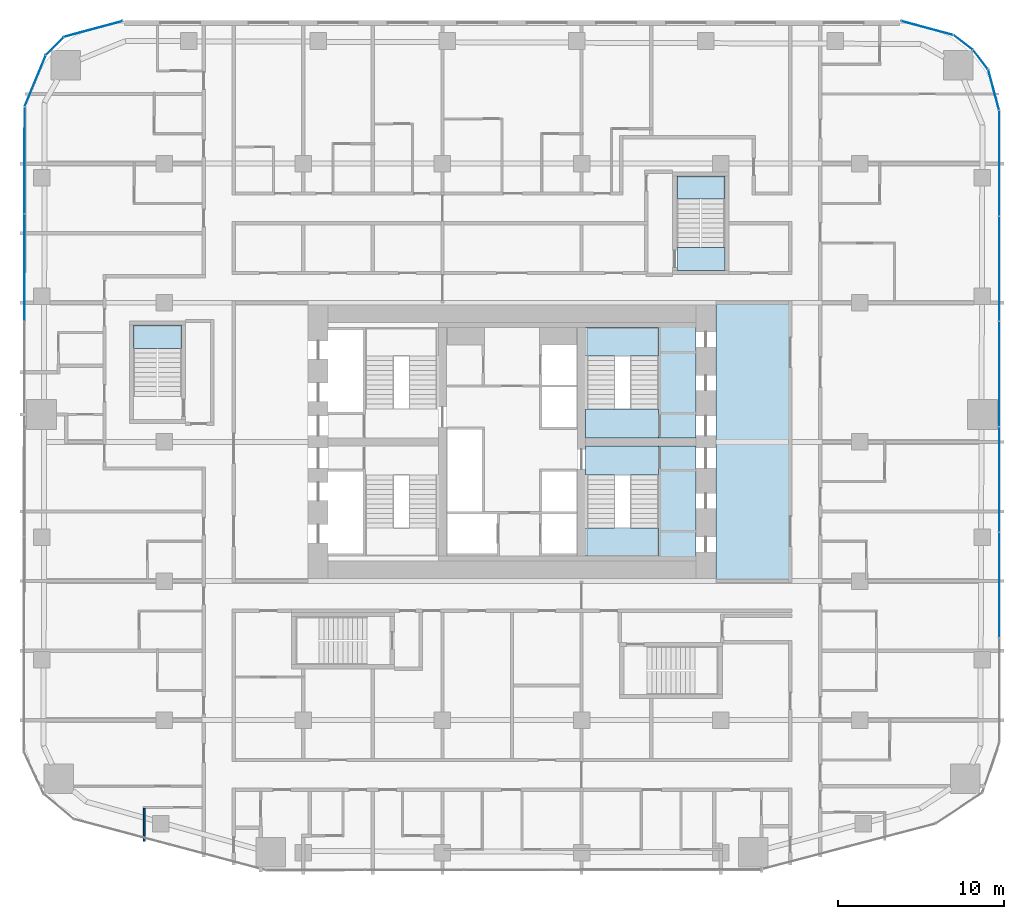
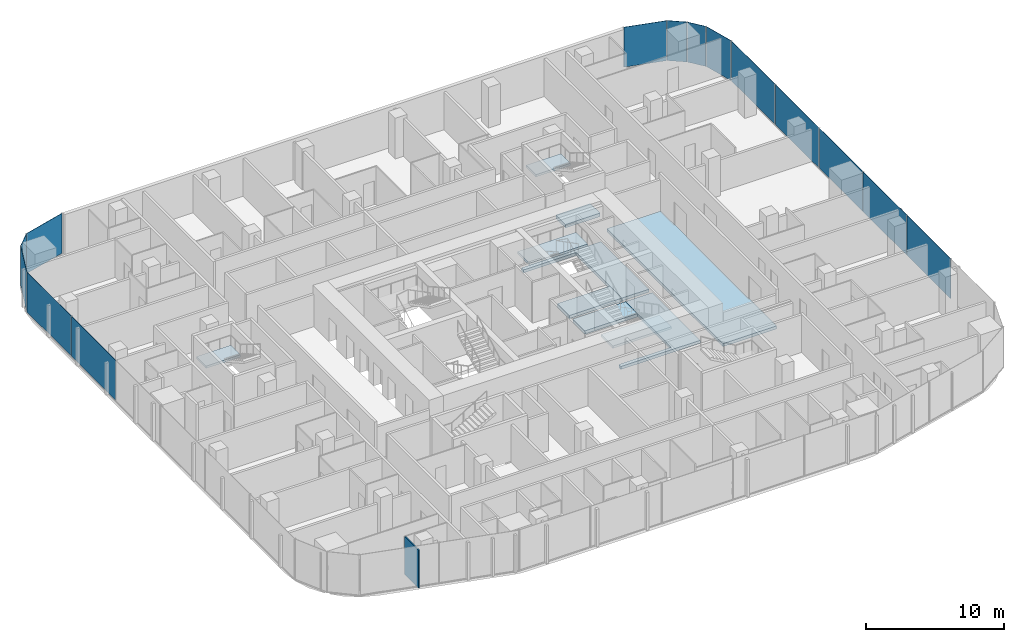
# One storey, part 15 of 26: 14 plates, 10 slabs, 1 wall, 13 elements without a shape of their own.
"""IFC4 building model written with IfcOpenShell, lengths in metres."""

from ifc_helpers import new_model, si_unit, direction, frame, frame_2d, origin, origin_2d, place, context, subcontext, project, spatial, polyline, rectangle, outline, extrude, material, layer, layer_set, type_object, element, aggregate, save


model = new_model("IFC4")

# Units and contexts
model_context = context("Model", 3, precision=1e-05, world=origin(), true_north=direction((0.0, 1.0)))
body_context = subcontext(model_context, "Body", "Model", "MODEL_VIEW")
ifc_project = project(units=[si_unit("LENGTHUNIT", "METRE"), si_unit("AREAUNIT", "SQUARE_METRE"), si_unit("VOLUMEUNIT", "CUBIC_METRE"), si_unit("PLANEANGLEUNIT", "RADIAN"), si_unit("MASSUNIT", "GRAM", prefix="KILO")], contexts=[model_context])

# Site, building, storey
site_placement = place(None, origin())
site = spatial("IfcSite", under=ifc_project, at=site_placement, CompositionType="ELEMENT")
building_placement = place(site_placement, origin())
building = spatial("IfcBuilding", under=site, at=building_placement, Name="Marenta Gate Hotel Tower", CompositionType="ELEMENT")
storey_placement = place(building_placement, frame((0.0, 0.0, 58.10009765625)))
storey = spatial("IfcBuildingStorey", under=building, at=storey_placement, Name="L12", CompositionType="ELEMENT", Elevation=58.10009765625)

# Slabs
ifc_material_1 = material(Name="Concrete C40", Category="concrete")
ifc_layer_1 = layer(ifc_material_1, 0.260009765625)
ifc_layer_set_1 = layer_set([ifc_layer_1], Name="Concrete C40")
slab_type_1 = type_object("IfcSlabType", Name="Core floor slab 260", PredefinedType="FLOOR", material=ifc_layer_set_1)
slab_1_placement = place(storey_placement, frame((0.0, 0.0, -0.260009765625)))
element("IfcSlab", 1, at=slab_1_placement, inside=storey, type_object=slab_type_1, Name="L12-CF-1", PredefinedType="FLOOR", context=body_context, shape_type="SweptSolid", body=[
    extrude(outline(polyline([(12.300048828125, 0.0), (12.300048828125, 16.800048828125), (16.800048828125, 16.800048828125), (16.800048828125, 0.0), (12.300048828125, 0.0)])), origin(), (0.0, 0.0, 1.0), 0.260009765625),
])
slab_2_placement = place(storey_placement, frame((0.0, 0.0, -0.260009765625)))
element("IfcSlab", 2, at=slab_2_placement, inside=storey, type_object=slab_type_1, Name="L12-CF-2", PredefinedType="FLOOR", context=body_context, shape_type="SweptSolid", body=[
    extrude(outline(polyline([(8.85009765625, 1.5), (8.85009765625, 6.39990234375), (8.85009765625, 8.10009765625), (8.85009765625, 8.14990234375), (11.10009765625, 8.14990234375), (11.10009765625, 1.199951171875), (4.449951171875, 1.199951171875), (4.449951171875, 1.5), (8.85009765625, 1.5)])), origin(), (0.0, 0.0, 1.0), 0.260009765625),
])
slab_3_placement = place(storey_placement, frame((0.0, 0.0, -0.260009765625)))
element("IfcSlab", 3, at=slab_3_placement, inside=storey, type_object=slab_type_1, Name="L12-CF-3", PredefinedType="FLOOR", context=body_context, shape_type="SweptSolid", body=[
    extrude(outline(polyline([(8.85009765625, 15.300048828125), (4.449951171875, 15.300048828125), (4.449951171875, 15.60009765625), (11.10009765625, 15.60009765625), (11.10009765625, 8.64990234375), (8.85009765625, 8.64990234375), (8.85009765625, 8.699951171875), (8.85009765625, 10.39990234375), (8.85009765625, 15.300048828125)])), origin(), (0.0, 0.0, 1.0), 0.260009765625),
])

# Stair, slab
ifc_material_2 = material(Name="Concrete C40", Category="concrete")
stair_type_1 = type_object("IfcStairType", Name="Core exit stair 1700 wide", PredefinedType="HALF_TURN_STAIR", material=ifc_material_2)
stair_1_placement = place(storey_placement, origin())
stair_1 = element("IfcStair", 4, at=stair_1_placement, inside=storey, type_object=stair_type_1, Name="Exit stair 3", PredefinedType="HALF_TURN_STAIR")
ifc_material_3 = material(Name="Concrete C40", Category="concrete")
ifc_layer_2 = layer(ifc_material_3, 0.199951171875)
ifc_layer_set_2 = layer_set([ifc_layer_2], Name="Concrete C40")
slab_type_2 = type_object("IfcSlabType", Name="Core stair landing 200", PredefinedType="LANDING", material=ifc_layer_set_2)
slab_4_placement = place(storey_placement, frame((0.0, 0.0, 1.599853515625)))
slab_4 = element("IfcSlab", 5, at=slab_4_placement, type_object=slab_type_2, Name="SL-200 ST3 landing 1", PredefinedType="LANDING", context=body_context, shape_type="SweptSolid", body=[
    extrude(outline(polyline([(3.949951171875, 1.5), (8.85009765625, 1.5), (8.85009765625, 3.2099609375), (3.949951171875, 3.2099609375), (3.949951171875, 1.5)])), origin(), (0.0, 0.0, 1.0), 0.199951171875),
])
aggregate(stair_1, [slab_4])

stair_2_placement = place(storey_placement, origin())
stair_2 = element("IfcStair", 6, at=stair_2_placement, inside=storey, type_object=stair_type_1, Name="Exit stair 4", PredefinedType="HALF_TURN_STAIR")
slab_5_placement = place(storey_placement, frame((0.0, 0.0, 1.599853515625)))
slab_5 = element("IfcSlab", 7, at=slab_5_placement, type_object=slab_type_2, Name="SL-200 ST4 landing 1", PredefinedType="LANDING", context=body_context, shape_type="SweptSolid", body=[
    extrude(outline(polyline([(3.949951171875, 13.590087890625), (8.85009765625, 13.590087890625), (8.85009765625, 15.300048828125), (3.949951171875, 15.300048828125), (3.949951171875, 13.590087890625)])), origin(), (0.0, 0.0, 1.0), 0.199951171875),
])
aggregate(stair_2, [slab_5])

# Curtain wall, plate
ifc_material_4 = material(Name="Tinted insulated glass in bronze anodised frame", Category="glass")
ifc_layer_3 = layer(ifc_material_4, 0.1201171875)
ifc_layer_set_3 = layer_set([ifc_layer_3], Name="Tinted insulated glass in bronze anodised frame")
curtain_wall_type = type_object("IfcCurtainWallType", Name="Tower unitised curtain wall CW1", PredefinedType="NOTDEFINED", material=ifc_layer_set_3)
curtain_wall_1_placement = place(storey_placement, origin())
curtain_wall_1 = element("IfcCurtainWall", 8, at=curtain_wall_1_placement, inside=storey, type_object=curtain_wall_type, Name="CW1 run G00", PredefinedType="NOTDEFINED")
ifc_material_5 = material(Name="Tinted insulated glass", Category="glass")
ifc_layer_4 = layer(ifc_material_5, 0.028076171875)
ifc_layer_set_4 = layer_set([ifc_layer_4], Name="Tinted insulated glass")
plate_type = type_object("IfcPlateType", Name="Glass panel CW1 28 mm tinted insulated unit", PredefinedType="CURTAIN_PANEL", material=ifc_layer_set_4)
plate_1_placement = place(storey_placement, frame((-25.277099609375, 33.3232421875, 0.059814453125), z_axis=(0.0, 0.0, 1.0), x_axis=(-0.965930485164, -0.258801657317, 0.0)))
plate_1 = element("IfcPlate", 9, at=plate_1_placement, type_object=plate_type, Name="CW1 panel 1.1", PredefinedType="CURTAIN_PANEL", context=body_context, shape_type="SweptSolid", body=[
    extrude(rectangle(XDim=3.64990234375, YDim=0.028076171875, at=origin_2d()), origin(), (0.0, 0.0, 1.0), 3.5400390625),
])
aggregate(curtain_wall_1, [plate_1])

curtain_wall_2_placement = place(storey_placement, origin())
curtain_wall_2 = element("IfcCurtainWall", 10, at=curtain_wall_2_placement, inside=storey, type_object=curtain_wall_type, Name="CW1 run G01", PredefinedType="NOTDEFINED")
plate_2_placement = place(storey_placement, frame((-27.606689453125, 32.2841796875, 0.059814453125), z_axis=(0.0, 0.0, 1.0), x_axis=(-0.707106781187, -0.707106781187, 0.0)))
plate_2 = element("IfcPlate", 11, at=plate_2_placement, type_object=plate_type, Name="CW1 panel 1.1", PredefinedType="CURTAIN_PANEL", context=body_context, shape_type="SweptSolid", body=[
    extrude(rectangle(XDim=1.48291015625, YDim=0.028076171875, at=origin_2d()), origin(), (0.0, 0.0, 1.0), 3.5400390625),
])
aggregate(curtain_wall_2, [plate_2])

curtain_wall_3_placement = place(storey_placement, origin())
curtain_wall_3 = element("IfcCurtainWall", 12, at=curtain_wall_3_placement, inside=storey, type_object=curtain_wall_type, Name="CW1 run G02", PredefinedType="NOTDEFINED")
plate_3_placement = place(storey_placement, frame((-28.783203125, 30.185302734375, 0.059814453125), z_axis=(0.0, 0.0, 1.0), x_axis=(-0.382670050581, -0.923885075314, 0.0)))
plate_3 = element("IfcPlate", 13, at=plate_3_placement, type_object=plate_type, Name="CW1 panel 1.1", PredefinedType="CURTAIN_PANEL", context=body_context, shape_type="SweptSolid", body=[
    extrude(rectangle(XDim=3.28857421875, YDim=0.028076171875, at=origin_2d()), origin(), (0.0, 0.0, 1.0), 3.5400390625),
])
aggregate(curtain_wall_3, [plate_3])

# Curtain wall, plates
curtain_wall_4_placement = place(storey_placement, origin())
curtain_wall_4 = element("IfcCurtainWall", 14, at=curtain_wall_4_placement, inside=storey, type_object=curtain_wall_type, Name="CW1 run G03", PredefinedType="NOTDEFINED")
plate_4_placement = place(storey_placement, frame((-29.41748046875, 25.406005859375, 0.059814453125), z_axis=(0.0, 0.0, 1.0), x_axis=(-0.00156642217, -0.99999877316, 0.0)))
plate_4 = element("IfcPlate", 15, at=plate_4_placement, type_object=plate_type, Name="CW1 panel 1.1", PredefinedType="CURTAIN_PANEL", context=body_context, shape_type="SweptSolid", body=[
    extrude(rectangle(XDim=6.400390625, YDim=0.028076171875, at=origin_2d()), origin(), (0.0, 0.0, 1.0), 3.5400390625),
])
plate_5_placement = place(storey_placement, frame((-29.427490234375, 18.9306640625, 0.059814453125), z_axis=(0.0, 0.0, 1.0), x_axis=(-0.00156642217, -0.99999877316, 0.0)))
plate_5 = element("IfcPlate", 16, at=plate_5_placement, type_object=plate_type, Name="CW1 panel 2.1", PredefinedType="CURTAIN_PANEL", context=body_context, shape_type="SweptSolid", body=[
    extrude(rectangle(XDim=6.430419921875, YDim=0.028076171875, at=origin_2d()), origin(), (0.0, 0.0, 1.0), 3.5400390625),
])
aggregate(curtain_wall_4, [plate_4, plate_5])

curtain_wall_5_placement = place(storey_placement, origin())
curtain_wall_5 = element("IfcCurtainWall", 17, at=curtain_wall_5_placement, inside=storey, type_object=curtain_wall_type, Name="CW1 run G11", PredefinedType="NOTDEFINED")
plate_6_placement = place(storey_placement, frame((29.4140625, -0.22802734375, 0.059814453125), z_axis=(0.0, 0.0, 1.0), x_axis=(0.0, 1.0, 0.0)))
plate_6 = element("IfcPlate", 18, at=plate_6_placement, type_object=plate_type, Name="CW1 panel 2.1", PredefinedType="CURTAIN_PANEL", context=body_context, shape_type="SweptSolid", body=[
    extrude(rectangle(XDim=6.300048828125, YDim=0.028076171875, at=origin_2d()), origin(), (0.0, 0.0, 1.0), 3.5400390625),
])
plate_7_placement = place(storey_placement, frame((29.4140625, 6.132080078125, 0.059814453125), z_axis=(0.0, 0.0, 1.0), x_axis=(0.0, 1.0, 0.0)))
plate_7 = element("IfcPlate", 19, at=plate_7_placement, type_object=plate_type, Name="CW1 panel 3.1", PredefinedType="CURTAIN_PANEL", context=body_context, shape_type="SweptSolid", body=[
    extrude(rectangle(XDim=6.300048828125, YDim=0.028076171875, at=origin_2d()), origin(), (0.0, 0.0, 1.0), 3.5400390625),
])
plate_8_placement = place(storey_placement, frame((29.4140625, 12.491943359375, 0.059814453125), z_axis=(0.0, 0.0, 1.0), x_axis=(0.0, 1.0, 0.0)))
plate_8 = element("IfcPlate", 20, at=plate_8_placement, type_object=plate_type, Name="CW1 panel 4.1", PredefinedType="CURTAIN_PANEL", context=body_context, shape_type="SweptSolid", body=[
    extrude(rectangle(XDim=6.300048828125, YDim=0.028076171875, at=origin_2d()), origin(), (0.0, 0.0, 1.0), 3.5400390625),
])
plate_9_placement = place(storey_placement, frame((29.4140625, 18.851806640625, 0.059814453125), z_axis=(0.0, 0.0, 1.0), x_axis=(0.0, 1.0, 0.0)))
plate_9 = element("IfcPlate", 21, at=plate_9_placement, type_object=plate_type, Name="CW1 panel 5.1", PredefinedType="CURTAIN_PANEL", context=body_context, shape_type="SweptSolid", body=[
    extrude(rectangle(XDim=6.300048828125, YDim=0.028076171875, at=origin_2d()), origin(), (0.0, 0.0, 1.0), 3.5400390625),
])
plate_10_placement = place(storey_placement, frame((29.4140625, 25.226806640625, 0.059814453125), z_axis=(0.0, 0.0, 1.0), x_axis=(0.0, 1.0, 0.0)))
plate_10 = element("IfcPlate", 22, at=plate_10_placement, type_object=plate_type, Name="CW1 panel 6.1", PredefinedType="CURTAIN_PANEL", context=body_context, shape_type="SweptSolid", body=[
    extrude(rectangle(XDim=6.330078125, YDim=0.028076171875, at=origin_2d()), origin(), (0.0, 0.0, 1.0), 3.5400390625),
])
aggregate(curtain_wall_5, [plate_6, plate_7, plate_8, plate_9, plate_10])

# Curtain wall, plate
curtain_wall_6_placement = place(storey_placement, origin())
curtain_wall_6 = element("IfcCurtainWall", 23, at=curtain_wall_6_placement, inside=storey, type_object=curtain_wall_type, Name="CW1 run G12", PredefinedType="NOTDEFINED")
plate_11_placement = place(storey_placement, frame((29.074951171875, 29.657470703125, 0.059814453125), z_axis=(0.0, 0.0, 1.0), x_axis=(-0.258821981125, 0.965925039579, 0.0)))
plate_11 = element("IfcPlate", 24, at=plate_11_placement, type_object=plate_type, Name="CW1 panel 1.1", PredefinedType="CURTAIN_PANEL", context=body_context, shape_type="SweptSolid", body=[
    extrude(rectangle(XDim=2.50048828125, YDim=0.028076171875, at=origin_2d()), origin(), (0.0, 0.0, 1.0), 3.5400390625),
])
aggregate(curtain_wall_6, [plate_11])

curtain_wall_7_placement = place(storey_placement, origin())
curtain_wall_7 = element("IfcCurtainWall", 25, at=curtain_wall_7_placement, inside=storey, type_object=curtain_wall_type, Name="CW1 run G13", PredefinedType="NOTDEFINED")
plate_12_placement = place(storey_placement, frame((28.280029296875, 31.47900390625, 0.059814453125), z_axis=(0.0, 0.0, 1.0), x_axis=(-0.608781405318, 0.79333801153, 0.0)))
plate_12 = element("IfcPlate", 26, at=plate_12_placement, type_object=plate_type, Name="CW1 panel 1.1", PredefinedType="CURTAIN_PANEL", context=body_context, shape_type="SweptSolid", body=[
    extrude(rectangle(XDim=1.427978515625, YDim=0.028076171875, at=origin_2d()), origin(), (0.0, 0.0, 1.0), 3.5400390625),
])
aggregate(curtain_wall_7, [plate_12])

curtain_wall_8_placement = place(storey_placement, origin())
curtain_wall_8 = element("IfcCurtainWall", 27, at=curtain_wall_8_placement, inside=storey, type_object=curtain_wall_type, Name="CW1 run G14", PredefinedType="NOTDEFINED")
plate_13_placement = place(storey_placement, frame((27.2314453125, 32.5166015625, 0.059814453125), z_axis=(0.0, 0.0, 1.0), x_axis=(-0.79333801153, 0.608781405318, 0.0)))
plate_13 = element("IfcPlate", 28, at=plate_13_placement, type_object=plate_type, Name="CW1 panel 1.1", PredefinedType="CURTAIN_PANEL", context=body_context, shape_type="SweptSolid", body=[
    extrude(rectangle(XDim=1.427978515625, YDim=0.028076171875, at=origin_2d()), origin(), (0.0, 0.0, 1.0), 3.5400390625),
])
aggregate(curtain_wall_8, [plate_13])

curtain_wall_9_placement = place(storey_placement, origin())
curtain_wall_9 = element("IfcCurtainWall", 29, at=curtain_wall_9_placement, inside=storey, type_object=curtain_wall_type, Name="CW1 run G15", PredefinedType="NOTDEFINED")
plate_14_placement = place(storey_placement, frame((25.060791015625, 33.381103515625, 0.059814453125), z_axis=(0.0, 0.0, 1.0), x_axis=(-0.965928970532, 0.258807310344, 0.0)))
plate_14 = element("IfcPlate", 30, at=plate_14_placement, type_object=plate_type, Name="CW1 panel 1.1", PredefinedType="CURTAIN_PANEL", context=body_context, shape_type="SweptSolid", body=[
    extrude(rectangle(XDim=3.20166015625, YDim=0.028076171875, at=origin_2d()), origin(), (0.0, 0.0, 1.0), 3.5400390625),
])
aggregate(curtain_wall_9, [plate_14])

# Stair, slab
ifc_material_6 = material(Name="Concrete C40", Category="concrete")
stair_type_2 = type_object("IfcStairType", Name="Remote exit stair 1400 wide", PredefinedType="HALF_TURN_STAIR", material=ifc_material_6)
stair_3_placement = place(storey_placement, origin())
stair_3 = element("IfcStair", 31, at=stair_3_placement, inside=storey, type_object=stair_type_2, Name="Exit stair RS-Z1-3", PredefinedType="HALF_TURN_STAIR")
ifc_material_7 = material(Name="Concrete C40", Category="concrete")
ifc_layer_5 = layer(ifc_material_7, 0.199951171875)
ifc_layer_set_5 = layer_set([ifc_layer_5], Name="Concrete C40")
slab_type_3 = type_object("IfcSlabType", Name="Remote stair landing 200", PredefinedType="LANDING", material=ifc_layer_set_5)
slab_6_placement = place(storey_placement, frame((0.0, 0.0, 1.599853515625)))
slab_6 = element("IfcSlab", 32, at=slab_6_placement, type_object=slab_type_3, Name="RL-200 RS-Z1-3 landing 1", PredefinedType="LANDING", context=body_context, shape_type="SweptSolid", body=[
    extrude(outline(polyline([(-22.85009765625, 14.050048828125), (-19.949951171875, 14.050048828125), (-19.949951171875, 15.449951171875), (-22.85009765625, 15.449951171875), (-22.85009765625, 14.050048828125)])), origin(), (0.0, 0.0, 1.0), 0.199951171875),
])
aggregate(stair_3, [slab_6])

stair_4_placement = place(storey_placement, origin())
stair_4 = element("IfcStair", 33, at=stair_4_placement, inside=storey, type_object=stair_type_2, Name="Exit stair RS-Z1-4", PredefinedType="HALF_TURN_STAIR")
slab_7_placement = place(storey_placement, frame((0.0, 0.0, 1.599853515625)))
slab_7 = element("IfcSlab", 34, at=slab_7_placement, type_object=slab_type_3, Name="RL-200 RS-Z1-4 landing 1", PredefinedType="LANDING", context=body_context, shape_type="SweptSolid", body=[
    extrude(outline(polyline([(9.949951171875, 23.050048828125), (12.85009765625, 23.050048828125), (12.85009765625, 24.449951171875), (9.949951171875, 24.449951171875), (9.949951171875, 23.050048828125)])), origin(), (0.0, 0.0, 1.0), 0.199951171875),
])
aggregate(stair_4, [slab_7])

# Slabs
ifc_material_8 = material(Name="Concrete C40", Category="concrete")
ifc_layer_6 = layer(ifc_material_8, 0.300048828125)
ifc_layer_set_6 = layer_set([ifc_layer_6], Name="Concrete C40")
slab_type_4 = type_object("IfcSlabType", Name="Stair floor landing slab 300", PredefinedType="FLOOR", material=ifc_layer_set_6)
slab_8_placement = place(storey_placement, frame((0.0, 0.0, -0.300048828125)))
element("IfcSlab", 35, at=slab_8_placement, inside=storey, type_object=slab_type_4, Name="L12-CL-ST3-1", PredefinedType="FLOOR", context=body_context, shape_type="SweptSolid", body=[
    extrude(outline(polyline([(4.449951171875, 6.39990234375), (4.449951171875, 8.14990234375), (8.85009765625, 8.14990234375), (8.85009765625, 8.10009765625), (8.85009765625, 6.39990234375), (4.449951171875, 6.39990234375)])), origin(), (0.0, 0.0, 1.0), 0.300048828125),
])
slab_9_placement = place(storey_placement, frame((0.0, 0.0, -0.300048828125)))
element("IfcSlab", 36, at=slab_9_placement, inside=storey, type_object=slab_type_4, Name="L12-CL-ST4-1", PredefinedType="FLOOR", context=body_context, shape_type="SweptSolid", body=[
    extrude(outline(polyline([(4.449951171875, 8.64990234375), (4.449951171875, 10.39990234375), (8.85009765625, 10.39990234375), (8.85009765625, 8.699951171875), (8.85009765625, 8.64990234375), (4.449951171875, 8.64990234375)])), origin(), (0.0, 0.0, 1.0), 0.300048828125),
])
slab_10_placement = place(storey_placement, frame((0.0, 0.0, -0.300048828125)))
element("IfcSlab", 37, at=slab_10_placement, inside=storey, type_object=slab_type_4, Name="L12-RS-Z1-4-CL", PredefinedType="FLOOR", context=body_context, shape_type="SweptSolid", body=[
    extrude(outline(polyline([(12.85009765625, 18.75), (12.85009765625, 20.14990234375), (9.949951171875, 20.14990234375), (9.949951171875, 18.75), (12.85009765625, 18.75)])), origin(), (0.0, 0.0, 1.0), 0.300048828125),
])

# Wall
ifc_material_9 = material(Name="Gypsum board on steel stud", Category="steel")
ifc_layer_7 = layer(ifc_material_9, 0.10009765625)
ifc_layer_set_7 = layer_set([ifc_layer_7], Name="Gypsum board on steel stud")
wall_type = type_object("IfcWallType", Name="Room partition 100", PredefinedType="PARTITIONING", material=ifc_layer_set_7)
wall_placement = place(storey_placement, frame((-22.199951171875, -15.7099609375, 0.0), z_axis=(0.0, 0.0, 1.0), x_axis=(0.0, 1.0, 0.0)))
element("IfcWall", 38, at=wall_placement, inside=storey, type_object=wall_type, Name="L12-PTN-W130", PredefinedType="PARTITIONING", context=body_context, shape_type="SweptSolid", body=[
    extrude(rectangle(XDim=1.994873046875, YDim=0.10009765625, at=frame_2d((0.99755859375, 0.0))), origin(), (0.0, 0.0, 1.0), 3.33984375),
])

save(model, "model.ifc")
